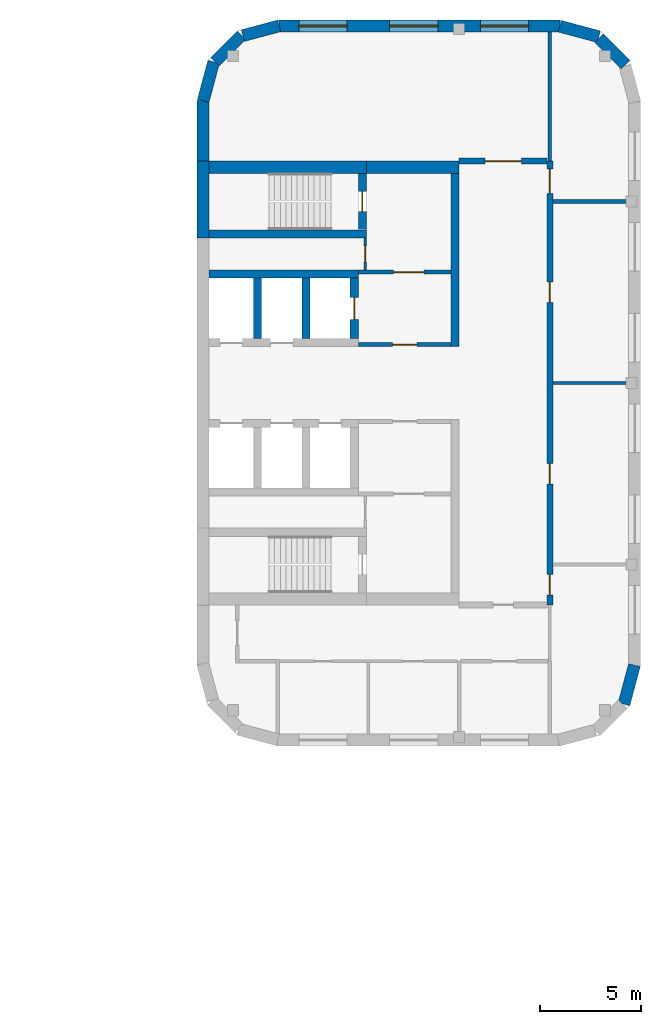
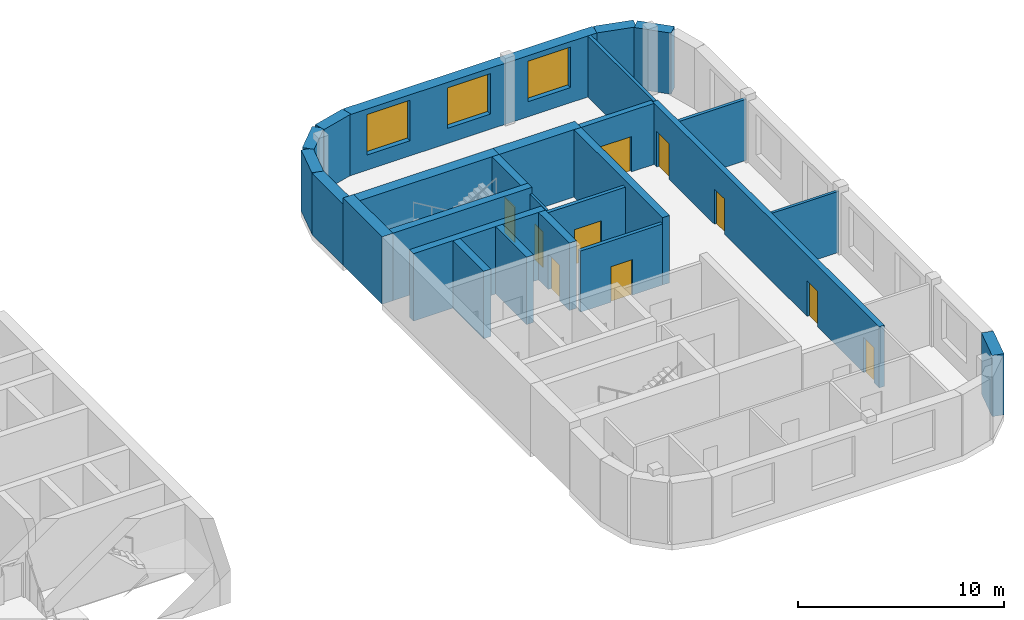
# One storey, part 8 of 10: 26 walls, 10 doors, 3 windows, 13 openings.
"""IFC4 building model written with IfcOpenShell, lengths in metres."""

import ifcopenshell
import ifcopenshell.guid

model = None  # the IFC model being written
_history = None  # IfcOwnerHistory: only IFC2X3 demands one
_inside = {}  # id of a spatial element -> (the spatial element, [elements in it])
_under = {}  # id of a project, library or spatial element -> (it, [spatial elements below it])
_declared = {}  # id of a project -> (the project, [libraries it declares])
_typed = {}  # id of a type object -> (the type object, [elements of that type])
_made_of = {}  # id of a material, layer set ... -> (it, [elements and type objects made of it])


def new_model(schema):
    """Start an empty IFC model of exactly this schema.

    Asked for "IFC4X3", IfcOpenShell would pick the latest addendum, in which some entities
    have other attributes; the version numbers below select the first issue.
    IFC2X3 requires an IfcOwnerHistory on every rooted entity: one is made here for all.
    """
    global model, _history
    if schema == "IFC4X3":
        model = ifcopenshell.file(schema_version=(4, 3, 0, 0))
    else:
        model = ifcopenshell.file(schema=schema)
    _inside.clear()
    _under.clear()
    _declared.clear()
    _typed.clear()
    _made_of.clear()
    _history = None
    if model.schema == "IFC2X3":
        org = make("IfcOrganization", Name="unknown")
        user = make(
            "IfcPersonAndOrganization",
            ThePerson=make("IfcPerson", FamilyName="unknown"),
            TheOrganization=org,
        )
        app = make(
            "IfcApplication",
            ApplicationDeveloper=org,
            Version="unknown",
            ApplicationFullName="unknown",
            ApplicationIdentifier="unknown",
        )
        _history = make(
            "IfcOwnerHistory",
            OwningUser=user,
            OwningApplication=app,
            ChangeAction="ADDED",
            CreationDate=0,
        )
    return model


def make(cls, **values):
    """One entity of the class cls with the attributes given. An attribute that is None is left unset."""
    return model.create_entity(
        cls, **{name: value for name, value in values.items() if value is not None}
    )


def rooted(cls, **values):
    """An entity with a GlobalId (a new one), such as an element, a storey or a relation."""
    return make(cls, GlobalId=ifcopenshell.guid.new(), OwnerHistory=_history, **values)


def si_unit(unit_type, name, prefix=None):
    """IfcSIUnit, for example si_unit("LENGTHUNIT", "METRE", prefix="MILLI")."""
    return make("IfcSIUnit", UnitType=unit_type, Prefix=prefix, Name=name)


def assignment(units):
    """IfcUnitAssignment: the units of a project."""
    return None if units is None else make("IfcUnitAssignment", Units=units)


def point(xyz):
    """IfcCartesianPoint."""
    return None if xyz is None else make("IfcCartesianPoint", Coordinates=xyz)


def direction(xyz):
    """IfcDirection."""
    return None if xyz is None else make("IfcDirection", DirectionRatios=xyz)


def frame(location, z_axis=None, x_axis=None):
    """IfcAxis2Placement3D, a coordinate frame: its origin and axes. An axis left out is left unset."""
    return make(
        "IfcAxis2Placement3D",
        Location=point(location),
        Axis=direction(z_axis),
        RefDirection=direction(x_axis),
    )


def frame_2d(location, x_axis=None):
    """IfcAxis2Placement2D, a coordinate frame in the plane: its origin and x axis."""
    return make(
        "IfcAxis2Placement2D", Location=point(location), RefDirection=direction(x_axis)
    )


def origin():
    """The frame at (0, 0, 0) with its axes left unset."""
    return frame((0.0, 0.0, 0.0))


def place(relative_to, where):
    """IfcLocalPlacement: puts the frame where relative to a parent placement (None: the world)."""
    return make(
        "IfcLocalPlacement", PlacementRelTo=relative_to, RelativePlacement=where
    )


def context(
    kind, dimensions, precision=None, world=None, true_north=None, identifier=None
):
    """IfcGeometricRepresentationContext, for example the 3D "Model" context."""
    return make(
        "IfcGeometricRepresentationContext",
        ContextIdentifier=identifier,
        ContextType=kind,
        CoordinateSpaceDimension=dimensions,
        Precision=precision,
        WorldCoordinateSystem=world,
        TrueNorth=true_north,
    )


def subcontext(parent, identifier, kind, view, scale=None):
    """IfcGeometricRepresentationSubContext, for example "Body" below "Model"."""
    return make(
        "IfcGeometricRepresentationSubContext",
        ContextIdentifier=identifier,
        ContextType=kind,
        ParentContext=parent,
        TargetScale=scale,
        TargetView=view,
    )


def project(units=None, contexts=None):
    """IfcProject with its units and contexts."""
    return rooted(
        "IfcProject",
        Name="project",
        RepresentationContexts=contexts,
        UnitsInContext=assignment(units),
    )


def spatial(cls, under=None, at=None, **own):
    """A site, building, storey or space (cls), placed at a placement, below another one or the project."""
    s = rooted(cls, ObjectPlacement=at, **own)
    if under is not None:
        _under.setdefault(under.id(), (under, []))[1].append(s)
    return s


def profile(cls, at=None, kind="AREA", **sizes):
    """A parametric profile (cls). Its sizes go by their IFC names, for example OverallWidth=200.0."""
    return make(cls, ProfileType=kind, Position=at, **sizes)


def rectangle(**sizes):
    """IfcRectangleProfileDef."""
    return profile("IfcRectangleProfileDef", **sizes)


def extrude(swept, where, along, depth):
    """IfcExtrudedAreaSolid: the profile swept, set in the frame where, extruded along a direction by depth."""
    return make(
        "IfcExtrudedAreaSolid",
        SweptArea=swept,
        Position=where,
        ExtrudedDirection=direction(along),
        Depth=depth,
    )


def shape(context_of_items, identifier, shape_type, items):
    """IfcShapeRepresentation: the items that make up one representation, for example the "Body"."""
    return make(
        "IfcShapeRepresentation",
        ContextOfItems=context_of_items,
        RepresentationIdentifier=identifier,
        RepresentationType=shape_type,
        Items=items,
    )


def material(Name=None, Category=None):
    """IfcMaterial."""
    return make("IfcMaterial", Name=Name, Category=Category)


def layer(
    of_material, thickness, ventilated=None, Name=None, Category=None, Priority=None
):
    """IfcMaterialLayer: one layer of a wall or slab, of a material (None: an air gap)."""
    return make(
        "IfcMaterialLayer",
        Material=of_material,
        LayerThickness=thickness,
        IsVentilated=ventilated,
        Name=Name,
        Category=Category,
        Priority=Priority,
    )


def layer_set(layers, Name=None):
    """IfcMaterialLayerSet."""
    return make("IfcMaterialLayerSet", MaterialLayers=layers, LayerSetName=Name)


def made_of(thing, what):
    """Note that an element or type object is made of a material, layer set ...; save() writes the relation."""
    if what is not None:
        _made_of.setdefault(what.id(), (what, []))[1].append(thing)
    return thing


def type_object(cls, material=None, **own):
    """A type object (cls), such as IfcWallType, which elements share."""
    return made_of(rooted(cls, **own), material)


def element(
    cls,
    number,
    at=None,
    inside=None,
    cuts=None,
    type_object=None,
    material=None,
    context=None,
    identifier="Body",
    shape_type=None,
    held_by="IfcProductDefinitionShape",
    body=None,
    shapes=None,
    **own,
):
    """One element of the class cls, such as IfcWall. Its Tag is "e" and its number.

    at: its placement. inside: the storey or other place that contains it. cuts: it is an
    opening in that element (IfcRelVoidsElement). A single representation is given by context,
    identifier, shape_type and body (its items); several are given by shapes. held_by: the class
    of the entity that holds the representations. save() writes the other relations.
    """
    e = rooted(cls, Tag="e%d" % number, ObjectPlacement=at, **own)
    if body is not None:
        shapes = [shape(context, identifier, shape_type, body)]
    if shapes is not None:
        e.Representation = make(held_by, Representations=shapes)
    if inside is not None:
        _inside.setdefault(inside.id(), (inside, []))[1].append(e)
    if cuts is not None:
        rooted(
            "IfcRelVoidsElement", RelatingBuildingElement=cuts, RelatedOpeningElement=e
        )
    if type_object is not None:
        _typed.setdefault(type_object.id(), (type_object, []))[1].append(e)
    return made_of(e, material)


def fill(opening, filler):
    """IfcRelFillsElement: the door or window that sits in an opening."""
    return rooted(
        "IfcRelFillsElement",
        RelatingOpeningElement=opening,
        RelatedBuildingElement=filler,
    )


def aggregate(whole, parts):
    """IfcRelAggregates: a whole, such as a stair, and the parts it consists of."""
    return rooted("IfcRelAggregates", RelatingObject=whole, RelatedObjects=parts)


def save(model, path):
    """Write the relations noted so far, then the file.

    IfcRelAggregates (storeys below a building ...), IfcRelContainedInSpatialStructure (elements
    in a storey), IfcRelDefinesByType, IfcRelAssociatesMaterial and IfcRelDeclares: one each for
    every whole, place, type object, material and project.
    """
    for whole, parts in _under.values():
        aggregate(whole, parts)
    for where, things in _inside.values():
        rooted(
            "IfcRelContainedInSpatialStructure",
            RelatedElements=things,
            RelatingStructure=where,
        )
    for kind, things in _typed.values():
        rooted("IfcRelDefinesByType", RelatedObjects=things, RelatingType=kind)
    for what, things in _made_of.values():
        rooted("IfcRelAssociatesMaterial", RelatedObjects=things, RelatingMaterial=what)
    for by, libraries in _declared.values():
        rooted("IfcRelDeclares", RelatingContext=by, RelatedDefinitions=libraries)
    model.write(path)


model = new_model("IFC4")

# Units and contexts
model_context = context("Model", 3, precision=1e-05, world=origin(), true_north=direction((0.0, 1.0)))
body_context = subcontext(model_context, "Body", "Model", "MODEL_VIEW")
ifc_project = project(units=[si_unit("LENGTHUNIT", "METRE"), si_unit("AREAUNIT", "SQUARE_METRE"), si_unit("VOLUMEUNIT", "CUBIC_METRE"), si_unit("PLANEANGLEUNIT", "RADIAN"), si_unit("MASSUNIT", "GRAM", prefix="KILO")], contexts=[model_context])

# Site, building, storey
site_placement = place(None, origin())
site = spatial("IfcSite", under=ifc_project, at=site_placement, CompositionType="ELEMENT")
building_placement = place(site_placement, origin())
building = spatial("IfcBuilding", under=site, at=building_placement, Name="Skarvind Civic Tower", CompositionType="ELEMENT")
storey_placement = place(building_placement, frame((0.0, 0.0, 101.0)))
storey = spatial("IfcBuildingStorey", under=building, at=storey_placement, Name="L23", CompositionType="ELEMENT", Elevation=101.0)

# Walls
ifc_material_1 = material(Name="Acoustic gypsum board on steel studs", Category="steel")
ifc_layer_1 = layer(ifc_material_1, 0.175048828125)
ifc_layer_set_1 = layer_set([ifc_layer_1], Name="ACOUSTIC MEETING-ROOM PARTITION 175")
wall_type_1 = type_object("IfcWallType", Name="ACOUSTIC MEETING-ROOM PARTITION 175", PredefinedType="PARTITIONING", material=ifc_layer_set_1)
wall_1_placement = place(storey_placement, frame((144.64990234375, 137.0, 0.0), z_axis=(0.0, 0.0, 1.0), x_axis=(1.0, 0.0, 0.0)))
element("IfcWall", 1, at=wall_1_placement, inside=storey, type_object=wall_type_1, Name="Partition 23.014", PredefinedType="PARTITIONING", context=body_context, shape_type="SweptSolid", body=[
    extrude(rectangle(XDim=3.75, YDim=0.175048828125, at=frame_2d((1.875, 0.0))), origin(), (0.0, 0.0, 1.0), 3.625),
])
wall_2_placement = place(storey_placement, frame((144.5, 145.39990234375, 0.0), z_axis=(0.0, 0.0, 1.0), x_axis=(0.0, -1.0, 0.0)))
element("IfcWall", 2, at=wall_2_placement, inside=storey, type_object=wall_type_1, Name="Partition 23.016", PredefinedType="PARTITIONING", context=body_context, shape_type="SweptSolid", body=[
    extrude(rectangle(XDim=6.39990234375, YDim=0.175048828125, at=frame_2d((3.199951171875, 0.0))), origin(), (0.0, 0.0, 1.0), 3.625),
])

# Wall, opening, door
ifc_material_2 = material(Name="Fire-rated gypsum board on steel studs", Category="steel")
ifc_layer_2 = layer(ifc_material_2, 0.300048828125)
ifc_layer_set_2 = layer_set([ifc_layer_2], Name="CORRIDOR WALL 300")
wall_type_2 = type_object("IfcWallType", Name="CORRIDOR WALL 300", PredefinedType="PARTITIONING", material=ifc_layer_set_2)
wall_3_placement = place(storey_placement, frame((140.0, 139.0, 0.0), z_axis=(0.0, 0.0, 1.0), x_axis=(1.0, 0.0, 0.0)))
wall_3 = element("IfcWall", 3, at=wall_3_placement, inside=storey, type_object=wall_type_2, Name="Partition 23.008", PredefinedType="PARTITIONING", context=body_context, shape_type="SweptSolid", body=[
    extrude(rectangle(XDim=4.35009765625, YDim=0.300048828125, at=frame_2d((2.175048828125, 0.0))), origin(), (0.0, 0.0, 1.0), 3.625),
])
opening_1_placement = place(wall_3_placement, frame((1.283447265625, 0.0, 0.0)))
opening_1 = element("IfcOpeningElement", 4, at=opening_1_placement, cuts=wall_3, Name="Opening L23-D105", PredefinedType="OPENING", context=body_context, shape_type="SweptSolid", body=[
    extrude(rectangle(XDim=1.800048828125, YDim=2.10009765625, at=frame_2d((0.89990234375, 1.050048828125))), frame((0.0, 0.159912109375, 0.0), z_axis=(0.0, -1.0, 0.0), x_axis=(1.0, 0.0, 0.0)), (0.0, 0.0, 1.0), 0.320068359375),
])
ifc_material_3 = material(Name="Fire-rated timber door leaf", Category="wood")
door_type_1 = type_object("IfcDoorType", Name="FD4 1800x2100", OperationType="NOTDEFINED", PredefinedType="DOOR", material=ifc_material_3)
door_1_placement = place(opening_1_placement, origin())
door_1 = element("IfcDoor", 5, at=door_1_placement, inside=storey, type_object=door_type_1, Name="Door L23-D105", OperationType="DOUBLE_DOOR_SINGLE_SWING", OverallHeight=2.10009765625, OverallWidth=1.800048828125, PredefinedType="DOOR", context=body_context, shape_type="SweptSolid", body=[
    extrude(rectangle(XDim=1.800048828125, YDim=2.10009765625, at=frame_2d((0.89990234375, 1.050048828125))), frame((0.0, 0.02490234375, 0.0), z_axis=(0.0, -1.0, 0.0), x_axis=(1.0, 0.0, 0.0)), (0.0, 0.0, 1.0), 0.050048828125),
])
fill(opening_1, door_1)

# Wall, openings, doors
wall_4_placement = place(storey_placement, frame((144.5, 139.0, 0.0), z_axis=(0.0, 0.0, 1.0), x_axis=(0.0, -1.0, 0.0)))
wall_4 = element("IfcWall", 6, at=wall_4_placement, inside=storey, type_object=wall_type_2, Name="Partition 23.015", PredefinedType="PARTITIONING", context=body_context, shape_type="SweptSolid", body=[
    extrude(rectangle(XDim=22.0, YDim=0.300048828125, at=frame_2d((11.0, 0.0))), origin(), (0.0, 0.0, 1.0), 3.625),
])
opening_2_placement = place(wall_4_placement, frame((20.50146484375, 0.0, 0.0)))
opening_2 = element("IfcOpeningElement", 7, at=opening_2_placement, cuts=wall_4, Name="Opening L23-D101", PredefinedType="OPENING", context=body_context, shape_type="SweptSolid", body=[
    extrude(rectangle(XDim=1.0, YDim=2.10009765625, at=frame_2d((0.5, 1.050048828125))), frame((0.0, 0.159912109375, 0.0), z_axis=(0.0, -1.0, 0.0), x_axis=(1.0, 0.0, 0.0)), (0.0, 0.0, 1.0), 0.320068359375),
])
opening_3_placement = place(wall_4_placement, frame((15.0, 0.0, 0.0)))
opening_3 = element("IfcOpeningElement", 8, at=opening_3_placement, cuts=wall_4, Name="Opening L23-D102", PredefinedType="OPENING", context=body_context, shape_type="SweptSolid", body=[
    extrude(rectangle(XDim=1.0, YDim=2.10009765625, at=frame_2d((0.5, 1.050048828125))), frame((0.0, 0.159912109375, 0.0), z_axis=(0.0, -1.0, 0.0), x_axis=(1.0, 0.0, 0.0)), (0.0, 0.0, 1.0), 0.320068359375),
])
opening_4_placement = place(wall_4_placement, frame((6.0, 0.0, 0.0)))
opening_4 = element("IfcOpeningElement", 9, at=opening_4_placement, cuts=wall_4, Name="Opening L23-D103", PredefinedType="OPENING", context=body_context, shape_type="SweptSolid", body=[
    extrude(rectangle(XDim=1.0, YDim=2.10009765625, at=frame_2d((0.5, 1.050048828125))), frame((0.0, 0.159912109375, 0.0), z_axis=(0.0, -1.0, 0.0), x_axis=(1.0, 0.0, 0.0)), (0.0, 0.0, 1.0), 0.320068359375),
])
opening_5_placement = place(wall_4_placement, frame((0.3984375, 0.0, 0.0)))
opening_5 = element("IfcOpeningElement", 10, at=opening_5_placement, cuts=wall_4, Name="Opening L23-D104", PredefinedType="OPENING", context=body_context, shape_type="SweptSolid", body=[
    extrude(rectangle(XDim=1.199951171875, YDim=2.10009765625, at=frame_2d((0.60009765625, 1.050048828125))), frame((0.0, 0.159912109375, 0.0), z_axis=(0.0, -1.0, 0.0), x_axis=(1.0, 0.0, 0.0)), (0.0, 0.0, 1.0), 0.320068359375),
])
door_type_2 = type_object("IfcDoorType", Name="FD1 1000x2100", OperationType="NOTDEFINED", PredefinedType="DOOR", material=ifc_material_3)
door_2_placement = place(opening_2_placement, origin())
door_2 = element("IfcDoor", 11, at=door_2_placement, inside=storey, type_object=door_type_2, Name="Door L23-D101", OperationType="SINGLE_SWING_LEFT", OverallHeight=2.10009765625, OverallWidth=1.0, PredefinedType="DOOR", context=body_context, shape_type="SweptSolid", body=[
    extrude(rectangle(XDim=1.0, YDim=2.10009765625, at=frame_2d((0.5, 1.050048828125))), frame((0.0, 0.02490234375, 0.0), z_axis=(0.0, -1.0, 0.0), x_axis=(1.0, 0.0, 0.0)), (0.0, 0.0, 1.0), 0.050048828125),
])
fill(opening_2, door_2)
door_3_placement = place(opening_3_placement, origin())
door_3 = element("IfcDoor", 12, at=door_3_placement, inside=storey, type_object=door_type_2, Name="Door L23-D102", OperationType="SINGLE_SWING_LEFT", OverallHeight=2.10009765625, OverallWidth=1.0, PredefinedType="DOOR", context=body_context, shape_type="SweptSolid", body=[
    extrude(rectangle(XDim=1.0, YDim=2.10009765625, at=frame_2d((0.5, 1.050048828125))), frame((0.0, 0.02490234375, 0.0), z_axis=(0.0, -1.0, 0.0), x_axis=(1.0, 0.0, 0.0)), (0.0, 0.0, 1.0), 0.050048828125),
])
fill(opening_3, door_3)
door_4_placement = place(opening_4_placement, origin())
door_4 = element("IfcDoor", 13, at=door_4_placement, inside=storey, type_object=door_type_2, Name="Door L23-D103", OperationType="SINGLE_SWING_LEFT", OverallHeight=2.10009765625, OverallWidth=1.0, PredefinedType="DOOR", context=body_context, shape_type="SweptSolid", body=[
    extrude(rectangle(XDim=1.0, YDim=2.10009765625, at=frame_2d((0.5, 1.050048828125))), frame((0.0, 0.02490234375, 0.0), z_axis=(0.0, -1.0, 0.0), x_axis=(1.0, 0.0, 0.0)), (0.0, 0.0, 1.0), 0.050048828125),
])
fill(opening_4, door_4)
door_type_3 = type_object("IfcDoorType", Name="FD6 1200x2100 DOUBLE", OperationType="NOTDEFINED", PredefinedType="DOOR", material=ifc_material_3)
door_5_placement = place(opening_5_placement, origin())
door_5 = element("IfcDoor", 14, at=door_5_placement, inside=storey, type_object=door_type_3, Name="Door L23-D104", OperationType="DOUBLE_DOOR_SINGLE_SWING", OverallHeight=2.10009765625, OverallWidth=1.199951171875, PredefinedType="DOOR", context=body_context, shape_type="SweptSolid", body=[
    extrude(rectangle(XDim=1.199951171875, YDim=2.10009765625, at=frame_2d((0.60009765625, 1.050048828125))), frame((0.0, 0.02490234375, 0.0), z_axis=(0.0, -1.0, 0.0), x_axis=(1.0, 0.0, 0.0)), (0.0, 0.0, 1.0), 0.050048828125),
])
fill(opening_5, door_5)

# Wall, opening, door
ifc_material_4 = material(Name="Fire-rated masonry partition", Category="masonry")
ifc_layer_3 = layer(ifc_material_4, 0.199951171875)
ifc_layer_set_3 = layer_set([ifc_layer_3], Name="Core enclosure wall 200")
wall_type_3 = type_object("IfcWallType", Name="Core enclosure wall 200", PredefinedType="PARTITIONING", material=ifc_layer_set_3)
wall_5_placement = place(storey_placement, frame((135.0, 129.89990234375, 0.0), z_axis=(0.0, 0.0, 1.0), x_axis=(1.0, 0.0, 0.0)))
wall_5 = element("IfcWall", 15, at=wall_5_placement, inside=storey, type_object=wall_type_3, Name="Core wall CA", PredefinedType="PARTITIONING", context=body_context, shape_type="SweptSolid", body=[
    extrude(rectangle(XDim=4.60009765625, YDim=0.199951171875, at=frame_2d((2.300048828125, 0.0))), origin(), (0.0, 0.0, 1.0), 3.625),
])
opening_6_placement = place(wall_5_placement, frame((1.699951171875, 0.0, 0.0)))
opening_6 = element("IfcOpeningElement", 16, at=opening_6_placement, cuts=wall_5, Name="Opening D-L23-CA-06", PredefinedType="OPENING", context=body_context, shape_type="SweptSolid", body=[
    extrude(rectangle(XDim=1.199951171875, YDim=2.10009765625, at=frame_2d((0.60009765625, 1.050048828125))), frame((0.0, 0.10986328125, 0.0), z_axis=(0.0, -1.0, 0.0), x_axis=(1.0, 0.0, 0.0)), (0.0, 0.0, 1.0), 0.219970703125),
])
ifc_material_5 = material(Name="Fire-rated steel door", Category="steel")
door_type_4 = type_object("IfcDoorType", Name="Core lobby door 1200", OperationType="NOTDEFINED", PredefinedType="DOOR", material=ifc_material_5)
door_6_placement = place(opening_6_placement, origin())
door_6 = element("IfcDoor", 17, at=door_6_placement, inside=storey, type_object=door_type_4, Name="Fire door", OperationType="DOUBLE_DOOR_SINGLE_SWING", OverallHeight=2.10009765625, OverallWidth=1.199951171875, PredefinedType="DOOR", context=body_context, shape_type="SweptSolid", body=[
    extrude(rectangle(XDim=1.199951171875, YDim=2.10009765625, at=frame_2d((0.60009765625, 1.050048828125))), frame((0.0, 0.02490234375, 0.0), z_axis=(0.0, -1.0, 0.0), x_axis=(1.0, 0.0, 0.0)), (0.0, 0.0, 1.0), 0.050048828125),
])
fill(opening_6, door_6)

wall_6_placement = place(storey_placement, frame((135.0, 133.5, 0.0), z_axis=(0.0, 0.0, 1.0), x_axis=(1.0, 0.0, 0.0)))
wall_6 = element("IfcWall", 18, at=wall_6_placement, inside=storey, type_object=wall_type_3, Name="Core wall CA", PredefinedType="PARTITIONING", context=body_context, shape_type="SweptSolid", body=[
    extrude(rectangle(XDim=4.60009765625, YDim=0.199951171875, at=frame_2d((2.300048828125, 0.0))), origin(), (0.0, 0.0, 1.0), 3.625),
])
opening_7_placement = place(wall_6_placement, frame((1.75, 0.0, 0.0)))
opening_7 = element("IfcOpeningElement", 19, at=opening_7_placement, cuts=wall_6, Name="Opening D-L23-CA-07", PredefinedType="OPENING", context=body_context, shape_type="SweptSolid", body=[
    extrude(rectangle(XDim=1.5, YDim=2.10009765625, at=frame_2d((0.75, 1.050048828125))), frame((0.0, 0.10986328125, 0.0), z_axis=(0.0, -1.0, 0.0), x_axis=(1.0, 0.0, 0.0)), (0.0, 0.0, 1.0), 0.219970703125),
])
door_type_5 = type_object("IfcDoorType", Name="Fire door 1500", OperationType="NOTDEFINED", PredefinedType="DOOR", material=ifc_material_5)
door_7_placement = place(opening_7_placement, origin())
door_7 = element("IfcDoor", 20, at=door_7_placement, inside=storey, type_object=door_type_5, Name="Fire door", OperationType="DOUBLE_DOOR_SINGLE_SWING", OverallHeight=2.10009765625, OverallWidth=1.5, PredefinedType="DOOR", context=body_context, shape_type="SweptSolid", body=[
    extrude(rectangle(XDim=1.5, YDim=2.10009765625, at=frame_2d((0.75, 1.050048828125))), frame((0.0, 0.02490234375, 0.0), z_axis=(0.0, -1.0, 0.0), x_axis=(1.0, 0.0, 0.0)), (0.0, 0.0, 1.0), 0.050048828125),
])
fill(opening_7, door_7)

# Wall
ifc_material_6 = material(Name="Concrete C80", Category="concrete")
ifc_layer_4 = layer(ifc_material_6, 0.39990234375)
ifc_layer_set_4 = layer_set([ifc_layer_4], Name="Core wall 400 C80")
wall_type_4 = type_object("IfcWallType", Name="Core wall 400 C80", PredefinedType="SHEAR", material=ifc_layer_set_4)
wall_7_placement = place(storey_placement, frame((127.60009765625, 135.39990234375, 0.0), z_axis=(0.0, 0.0, 1.0), x_axis=(1.0, 0.0, 0.0)))
element("IfcWall", 21, at=wall_7_placement, inside=storey, type_object=wall_type_4, Name="Core wall CA north stair inner L23", PredefinedType="SHEAR", context=body_context, shape_type="SweptSolid", body=[
    extrude(rectangle(XDim=7.7998046875, YDim=0.39990234375, at=frame_2d((3.89990234375, 0.0))), origin(), (0.0, 0.0, 1.0), 4.0),
])

# Wall, opening, door
wall_8_placement = place(storey_placement, frame((135.199951171875, 135.60009765625, 0.0), z_axis=(0.0, 0.0, 1.0), x_axis=(0.0, 1.0, 0.0)))
wall_8 = element("IfcWall", 22, at=wall_8_placement, inside=storey, type_object=wall_type_4, Name="Core wall CA north stair end L23", PredefinedType="SHEAR", context=body_context, shape_type="SweptSolid", body=[
    extrude(rectangle(XDim=2.7998046875, YDim=0.39990234375, at=frame_2d((1.39990234375, 0.0))), origin(), (0.0, 0.0, 1.0), 4.0),
])
opening_8_placement = place(wall_8_placement, frame((0.89990234375, 0.0, 0.0)))
opening_8 = element("IfcOpeningElement", 23, at=opening_8_placement, cuts=wall_8, Name="Opening D-L23-CA-08", PredefinedType="OPENING", context=body_context, shape_type="SweptSolid", body=[
    extrude(rectangle(XDim=1.0, YDim=2.10009765625, at=frame_2d((0.5, 1.050048828125))), frame((0.0, 0.2099609375, 0.0), z_axis=(0.0, -1.0, 0.0), x_axis=(1.0, 0.0, 0.0)), (0.0, 0.0, 1.0), 0.419921875),
])
door_type_6 = type_object("IfcDoorType", Name="Fire door 1000", OperationType="NOTDEFINED", PredefinedType="DOOR", material=ifc_material_5)
door_8_placement = place(opening_8_placement, origin())
door_8 = element("IfcDoor", 24, at=door_8_placement, inside=storey, type_object=door_type_6, Name="Fire door", OperationType="SINGLE_SWING_LEFT", OverallHeight=2.10009765625, OverallWidth=1.0, PredefinedType="DOOR", context=body_context, shape_type="SweptSolid", body=[
    extrude(rectangle(XDim=1.0, YDim=2.10009765625, at=frame_2d((0.5, 1.050048828125))), frame((0.0, 0.02490234375, 0.0), z_axis=(0.0, -1.0, 0.0), x_axis=(1.0, 0.0, 0.0)), (0.0, 0.0, 1.0), 0.050048828125),
])
fill(opening_8, door_8)

# Walls
wall_9_placement = place(storey_placement, frame((127.60009765625, 133.39990234375, 0.0), z_axis=(0.0, 0.0, 1.0), x_axis=(1.0, 0.0, 0.0)))
element("IfcWall", 25, at=wall_9_placement, inside=storey, type_object=wall_type_4, Name="Core wall CA north lift row back L23", PredefinedType="SHEAR", context=body_context, shape_type="SweptSolid", body=[
    extrude(rectangle(XDim=7.39990234375, YDim=0.39990234375, at=frame_2d((3.699951171875, 0.0))), origin(), (0.0, 0.0, 1.0), 4.0),
])
for number, where, z_axis, x_axis, name in (
    (26, (130.0, 130.199951171875, 0.0), (0.0, 0.0, 1.0), (0.0, 1.0, 0.0), "Core wall CA north lift row division 1 L23"),
    (27, (132.39990234375, 130.199951171875, 0.0), (0.0, 0.0, 1.0), (0.0, 1.0, 0.0), "Core wall CA north lift row division 2 L23"),
):
    element("IfcWall", number, at=place(storey_placement, frame(where, z_axis=z_axis, x_axis=x_axis)), inside=storey, type_object=wall_type_4, Name=name, PredefinedType="SHEAR", context=body_context, shape_type="SweptSolid", body=[
        extrude(rectangle(XDim=3.0, YDim=0.39990234375, at=frame_2d((1.5, 0.0))), origin(), (0.0, 0.0, 1.0), 4.0),
    ])

# Wall, opening, door
wall_10_placement = place(storey_placement, frame((134.800048828125, 130.199951171875, 0.0), z_axis=(0.0, 0.0, 1.0), x_axis=(0.0, 1.0, 0.0)))
wall_10 = element("IfcWall", 28, at=wall_10_placement, inside=storey, type_object=wall_type_4, Name="Core wall CA north lift row division 3 L23", PredefinedType="SHEAR", context=body_context, shape_type="SweptSolid", body=[
    extrude(rectangle(XDim=3.0, YDim=0.39990234375, at=frame_2d((1.5, 0.0))), origin(), (0.0, 0.0, 1.0), 4.0),
])
opening_9_placement = place(wall_10_placement, frame((0.949951171875, 0.0, 0.0)))
opening_9 = element("IfcOpeningElement", 29, at=opening_9_placement, cuts=wall_10, Name="Opening LD25303", PredefinedType="OPENING", context=body_context, shape_type="SweptSolid", body=[
    extrude(rectangle(XDim=1.10009765625, YDim=2.10009765625, at=frame_2d((0.550048828125, 1.050048828125))), frame((0.0, 0.2099609375, 0.0), z_axis=(0.0, -1.0, 0.0), x_axis=(1.0, 0.0, 0.0)), (0.0, 0.0, 1.0), 0.419921875),
])
ifc_material_7 = material(Name="Stainless steel landing door", Category="steel")
door_type_7 = type_object("IfcDoorType", Name="Lift landing door 1100", OperationType="DOUBLE_DOOR_SLIDING", PredefinedType="DOOR", material=ifc_material_7)
door_9_placement = place(opening_9_placement, origin())
door_9 = element("IfcDoor", 30, at=door_9_placement, inside=storey, type_object=door_type_7, Name="Lift landing door", OperationType="DOUBLE_DOOR_SLIDING", OverallHeight=2.10009765625, OverallWidth=1.10009765625, PredefinedType="DOOR", context=body_context, shape_type="SweptSolid", body=[
    extrude(rectangle(XDim=1.10009765625, YDim=2.10009765625, at=frame_2d((0.550048828125, 1.050048828125))), frame((0.0, 0.02490234375, 0.0), z_axis=(0.0, -1.0, 0.0), x_axis=(1.0, 0.0, 0.0)), (0.0, 0.0, 1.0), 0.050048828125),
])
fill(opening_9, door_9)

# Walls
wall_11_placement = place(storey_placement, frame((139.800048828125, 129.800048828125, 0.0), z_axis=(0.0, 0.0, 1.0), x_axis=(0.0, 1.0, 0.0)))
element("IfcWall", 31, at=wall_11_placement, inside=storey, type_object=wall_type_4, Name="Core wall CA north inner face L23", PredefinedType="SHEAR", context=body_context, shape_type="SweptSolid", body=[
    extrude(rectangle(XDim=8.599853515625, YDim=0.39990234375, at=frame_2d((4.2998046875, 0.0))), origin(), (0.0, 0.0, 1.0), 4.0),
])
ifc_layer_5 = layer(ifc_material_6, 0.60009765625)
ifc_layer_set_5 = layer_set([ifc_layer_5], Name="Core wall 600 C80")
wall_type_5 = type_object("IfcWallType", Name="Core wall 600 C80", PredefinedType="SHEAR", material=ifc_layer_set_5)
wall_12_placement = place(storey_placement, frame((127.300048828125, 135.199951171875, 0.0), z_axis=(0.0, 0.0, 1.0), x_axis=(0.0, 1.0, 0.0)))
element("IfcWall", 32, at=wall_12_placement, inside=storey, type_object=wall_type_5, Name="Core wall CA tip at the north stair L23", PredefinedType="SHEAR", context=body_context, shape_type="SweptSolid", body=[
    extrude(rectangle(XDim=3.800048828125, YDim=0.60009765625, at=frame_2d((1.89990234375, 0.0))), origin(), (0.0, 0.0, 1.0), 4.0),
])
wall_13_placement = place(storey_placement, frame((127.60009765625, 138.699951171875, 0.0), z_axis=(0.0, 0.0, 1.0), x_axis=(1.0, 0.0, 0.0)))
element("IfcWall", 33, at=wall_13_placement, inside=storey, type_object=wall_type_5, Name="Core wall CA north side at the stair L23", PredefinedType="SHEAR", context=body_context, shape_type="SweptSolid", body=[
    extrude(rectangle(XDim=7.7998046875, YDim=0.60009765625, at=frame_2d((3.89990234375, 0.0))), origin(), (0.0, 0.0, 1.0), 4.0),
])
wall_14_placement = place(storey_placement, frame((135.39990234375, 138.699951171875, 0.0), z_axis=(0.0, 0.0, 1.0), x_axis=(1.0, 0.0, 0.0)))
element("IfcWall", 34, at=wall_14_placement, inside=storey, type_object=wall_type_5, Name="Core wall CA north side L23", PredefinedType="SHEAR", context=body_context, shape_type="SweptSolid", body=[
    extrude(rectangle(XDim=4.60009765625, YDim=0.60009765625, at=frame_2d((2.300048828125, 0.0))), origin(), (0.0, 0.0, 1.0), 4.0),
])
ifc_material_8 = material(Name="Plasterboard partition on steel studs", Category="steel")
ifc_layer_6 = layer(ifc_material_8, 0.14990234375)
ifc_layer_set_6 = layer_set([ifc_layer_6], Name="PARTITION 150")
wall_type_6 = type_object("IfcWallType", Name="PARTITION 150", PredefinedType="PARTITIONING", material=ifc_layer_set_6)
wall_15_placement = place(storey_placement, frame((144.64990234375, 128.0, 0.0), z_axis=(0.0, 0.0, 1.0), x_axis=(1.0, 0.0, 0.0)))
element("IfcWall", 35, at=wall_15_placement, inside=storey, type_object=wall_type_6, Name="Partition 23.013", PredefinedType="PARTITIONING", context=body_context, shape_type="SweptSolid", body=[
    extrude(rectangle(XDim=3.75, YDim=0.14990234375, at=frame_2d((1.875, 0.0))), origin(), (0.0, 0.0, 1.0), 3.625),
])

# Wall, opening, door
ifc_layer_7 = layer(ifc_material_4, 0.125)
ifc_layer_set_7 = layer_set([ifc_layer_7], Name="Riser wall 125")
wall_type_7 = type_object("IfcWallType", Name="Riser wall 125", PredefinedType="PARTITIONING", material=ifc_layer_set_7)
wall_16_placement = place(storey_placement, frame((135.33740234375, 135.199951171875, 0.0), z_axis=(0.0, 0.0, 1.0), x_axis=(0.0, -1.0, 0.0)))
wall_16 = element("IfcWall", 36, at=wall_16_placement, inside=storey, type_object=wall_type_7, Name="Core wall CA", PredefinedType="PARTITIONING", context=body_context, shape_type="SweptSolid", body=[
    extrude(rectangle(XDim=1.599853515625, YDim=0.125, at=frame_2d((0.7998046875, 0.0))), origin(), (0.0, 0.0, 1.0), 3.625),
])
opening_10_placement = place(wall_16_placement, frame((0.39990234375, 0.0, 0.0)))
opening_10 = element("IfcOpeningElement", 37, at=opening_10_placement, cuts=wall_16, Name="Opening D-L23-CA-09", PredefinedType="OPENING", context=body_context, shape_type="SweptSolid", body=[
    extrude(rectangle(XDim=0.800048828125, YDim=2.10009765625, at=frame_2d((0.39990234375, 1.050048828125))), frame((0.0, 0.072509765625, 0.0), z_axis=(0.0, -1.0, 0.0), x_axis=(1.0, 0.0, 0.0)), (0.0, 0.0, 1.0), 0.14501953125),
])
door_type_8 = type_object("IfcDoorType", Name="Core riser door 800", OperationType="NOTDEFINED", PredefinedType="DOOR", material=ifc_material_5)
door_10_placement = place(opening_10_placement, origin())
door_10 = element("IfcDoor", 38, at=door_10_placement, inside=storey, type_object=door_type_8, Name="Riser door", OperationType="SINGLE_SWING_RIGHT", OverallHeight=2.10009765625, OverallWidth=0.800048828125, PredefinedType="DOOR", context=body_context, shape_type="SweptSolid", body=[
    extrude(rectangle(XDim=0.800048828125, YDim=2.10009765625, at=frame_2d((0.39990234375, 1.050048828125))), frame((0.0, 0.02490234375, 0.0), z_axis=(0.0, -1.0, 0.0), x_axis=(1.0, 0.0, 0.0)), (0.0, 0.0, 1.0), 0.050048828125),
])
fill(opening_10, door_10)

# Wall, openings, windows
ifc_material_9 = material(Name="Limestone masonry cladding on insulated backing", Category="masonry")
ifc_layer_8 = layer(ifc_material_9, 0.60009765625)
ifc_layer_set_8 = layer_set([ifc_layer_8], Name="WX1 STONE FACADE WALL 600")
wall_type_8 = type_object("IfcWallType", Name="WX1 STONE FACADE WALL 600", PredefinedType="SOLIDWALL", material=ifc_layer_set_8)
wall_17_placement = place(storey_placement, frame((131.070068359375, 145.699951171875, 0.0), z_axis=(0.0, 0.0, 1.0), x_axis=(1.0, 0.0, 0.0)))
wall_17 = element("IfcWall", 39, at=wall_17_placement, inside=storey, type_object=wall_type_8, Name="STONE FACADE WALL", PredefinedType="SOLIDWALL", context=body_context, shape_type="SweptSolid", body=[
    extrude(rectangle(XDim=13.929931640625, YDim=0.60009765625, at=frame_2d((6.96484375, 0.0))), origin(), (0.0, 0.0, 1.0), 3.625),
])
opening_11_placement = place(wall_17_placement, frame((0.97998046875, 0.0, 0.89990234375)))
opening_11 = element("IfcOpeningElement", 40, at=opening_11_placement, cuts=wall_17, Name="Opening WN9", PredefinedType="OPENING", context=body_context, shape_type="SweptSolid", body=[
    extrude(rectangle(XDim=2.39990234375, YDim=2.39990234375, at=frame_2d((1.199951171875, 1.199951171875))), frame((0.0, 0.31005859375, 0.0), z_axis=(0.0, -1.0, 0.0), x_axis=(1.0, 0.0, 0.0)), (0.0, 0.0, 1.0), 0.6201171875),
])
opening_12_placement = place(wall_17_placement, frame((5.47998046875, 0.0, 0.89990234375)))
opening_12 = element("IfcOpeningElement", 41, at=opening_12_placement, cuts=wall_17, Name="Opening WN9", PredefinedType="OPENING", context=body_context, shape_type="SweptSolid", body=[
    extrude(rectangle(XDim=2.39990234375, YDim=2.39990234375, at=frame_2d((1.199951171875, 1.199951171875))), frame((0.0, 0.31005859375, 0.0), z_axis=(0.0, -1.0, 0.0), x_axis=(1.0, 0.0, 0.0)), (0.0, 0.0, 1.0), 0.6201171875),
])
opening_13_placement = place(wall_17_placement, frame((9.97998046875, 0.0, 0.89990234375)))
opening_13 = element("IfcOpeningElement", 42, at=opening_13_placement, cuts=wall_17, Name="Opening WN9", PredefinedType="OPENING", context=body_context, shape_type="SweptSolid", body=[
    extrude(rectangle(XDim=2.39990234375, YDim=2.39990234375, at=frame_2d((1.199951171875, 1.199951171875))), frame((0.0, 0.31005859375, 0.0), z_axis=(0.0, -1.0, 0.0), x_axis=(1.0, 0.0, 0.0)), (0.0, 0.0, 1.0), 0.6201171875),
])
ifc_material_10 = material(Name="Timber frame, double glazing, timber-lined reveal", Category="wood")
window_type = type_object("IfcWindowType", Name="WN9 COMPANION TOWER WINDOW 2400 x 2400", PartitioningType="SINGLE_PANEL", PredefinedType="WINDOW", material=ifc_material_10)
window_1_placement = place(opening_11_placement, origin())
window_1 = element("IfcWindow", 43, at=window_1_placement, inside=storey, type_object=window_type, Name="WN9 WINDOW", OverallHeight=2.39990234375, OverallWidth=2.39990234375, PartitioningType="SINGLE_PANEL", PredefinedType="WINDOW", context=body_context, shape_type="SweptSolid", body=[
    extrude(rectangle(XDim=2.39990234375, YDim=2.39990234375, at=frame_2d((1.199951171875, 1.199951171875))), frame((0.0, 0.030029296875, 0.0), z_axis=(0.0, -1.0, 0.0), x_axis=(1.0, 0.0, 0.0)), (0.0, 0.0, 1.0), 0.06005859375),
])
fill(opening_11, window_1)
window_2_placement = place(opening_12_placement, origin())
window_2 = element("IfcWindow", 44, at=window_2_placement, inside=storey, type_object=window_type, Name="WN9 WINDOW", OverallHeight=2.39990234375, OverallWidth=2.39990234375, PartitioningType="SINGLE_PANEL", PredefinedType="WINDOW", context=body_context, shape_type="SweptSolid", body=[
    extrude(rectangle(XDim=2.39990234375, YDim=2.39990234375, at=frame_2d((1.199951171875, 1.199951171875))), frame((0.0, 0.030029296875, 0.0), z_axis=(0.0, -1.0, 0.0), x_axis=(1.0, 0.0, 0.0)), (0.0, 0.0, 1.0), 0.06005859375),
])
fill(opening_12, window_2)
window_3_placement = place(opening_13_placement, origin())
window_3 = element("IfcWindow", 45, at=window_3_placement, inside=storey, type_object=window_type, Name="WN9 WINDOW", OverallHeight=2.39990234375, OverallWidth=2.39990234375, PartitioningType="SINGLE_PANEL", PredefinedType="WINDOW", context=body_context, shape_type="SweptSolid", body=[
    extrude(rectangle(XDim=2.39990234375, YDim=2.39990234375, at=frame_2d((1.199951171875, 1.199951171875))), frame((0.0, 0.030029296875, 0.0), z_axis=(0.0, -1.0, 0.0), x_axis=(1.0, 0.0, 0.0)), (0.0, 0.0, 1.0), 0.06005859375),
])
fill(opening_13, window_3)

# Walls
for number, where, z_axis, x_axis, name in (
    (46, (129.280517578125, 145.228759765625, 0.0), (0.0, 0.0, 1.0), (0.965938094805, 0.258773254036, 0.0), "STONE FACADE WALL"),
    (47, (127.896484375, 143.936279296875, 0.0), (0.0, 0.0, 1.0), (0.707106781187, 0.707106781187, 0.0), "STONE FACADE WALL"),
):
    element("IfcWall", number, at=place(storey_placement, frame(where, z_axis=z_axis, x_axis=x_axis)), inside=storey, type_object=wall_type_8, Name=name, PredefinedType="SOLIDWALL", context=body_context, shape_type="SweptSolid", body=[
        extrude(rectangle(XDim=1.860595703125, YDim=0.60009765625, at=frame_2d((0.93017578125, 0.0))), origin(), (0.0, 0.0, 1.0), 3.625),
    ])
wall_18_placement = place(storey_placement, frame((127.307861328125, 141.989990234375, 0.0), z_axis=(0.0, 0.0, 1.0), x_axis=(0.258839784042, 0.965920269068, 0.0)))
element("IfcWall", 48, at=wall_18_placement, inside=storey, type_object=wall_type_8, Name="STONE FACADE WALL", PredefinedType="SOLIDWALL", context=body_context, shape_type="SweptSolid", body=[
    extrude(rectangle(XDim=2.00048828125, YDim=0.60009765625, at=frame_2d((1.000244140625, 0.0))), origin(), (0.0, 0.0, 1.0), 3.625),
])
wall_19_placement = place(storey_placement, frame((127.300048828125, 139.02001953125, 0.0), z_axis=(0.0, 0.0, 1.0), x_axis=(0.0, 1.0, 0.0)))
element("IfcWall", 49, at=wall_19_placement, inside=storey, type_object=wall_type_8, Name="STONE FACADE WALL", PredefinedType="SOLIDWALL", context=body_context, shape_type="SweptSolid", body=[
    extrude(rectangle(XDim=2.97998046875, YDim=0.60009765625, at=frame_2d((1.489990234375, 0.0))), origin(), (0.0, 0.0, 1.0), 3.625),
])
wall_20_placement = place(storey_placement, frame((148.692138671875, 114.010009765625, 0.0), z_axis=(0.0, 0.0, 1.0), x_axis=(-0.258839784042, -0.965920269068, 0.0)))
element("IfcWall", 50, at=wall_20_placement, inside=storey, type_object=wall_type_8, Name="STONE FACADE WALL", PredefinedType="SOLIDWALL", context=body_context, shape_type="SweptSolid", body=[
    extrude(rectangle(XDim=2.00048828125, YDim=0.60009765625, at=frame_2d((1.000244140625, 0.0))), origin(), (0.0, 0.0, 1.0), 3.625),
])
wall_21_placement = place(storey_placement, frame((146.936279296875, 145.103515625, 0.0), z_axis=(0.0, 0.0, 1.0), x_axis=(0.707106781187, -0.707106781187, 0.0)))
element("IfcWall", 51, at=wall_21_placement, inside=storey, type_object=wall_type_8, Name="STONE FACADE WALL", PredefinedType="SOLIDWALL", context=body_context, shape_type="SweptSolid", body=[
    extrude(rectangle(XDim=1.860595703125, YDim=0.60009765625, at=frame_2d((0.93017578125, 0.0))), origin(), (0.0, 0.0, 1.0), 3.625),
])
wall_22_placement = place(storey_placement, frame((144.989990234375, 145.692138671875, 0.0), z_axis=(0.0, 0.0, 1.0), x_axis=(0.965920269068, -0.258839784042, 0.0)))
element("IfcWall", 52, at=wall_22_placement, inside=storey, type_object=wall_type_8, Name="STONE FACADE WALL", PredefinedType="SOLIDWALL", context=body_context, shape_type="SweptSolid", body=[
    extrude(rectangle(XDim=2.00048828125, YDim=0.60009765625, at=frame_2d((1.000244140625, 0.0))), origin(), (0.0, 0.0, 1.0), 3.625),
])

save(model, "model.ifc")
